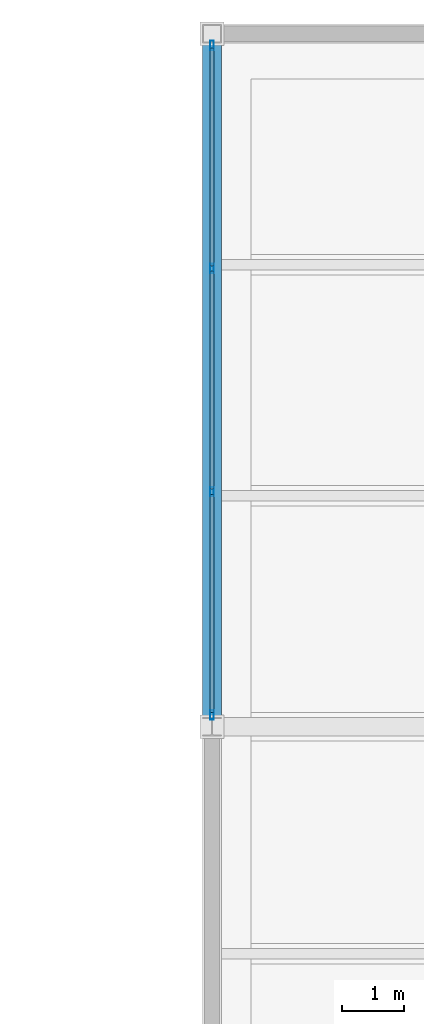
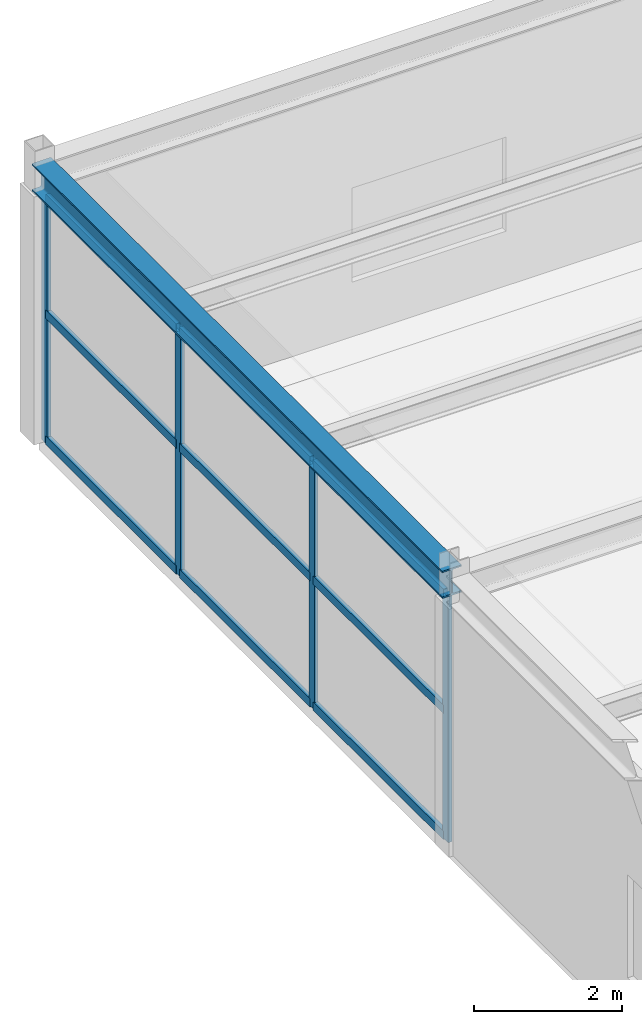
# One storey, part 57 of 108: 13 members, 1 beam, 1 element without a shape of its own.
"""IFC4 building model written with IfcOpenShell, lengths in metres."""

from ifc_helpers import new_model, si_unit, direction, frame, origin, origin_2d, place, context, subcontext, project, spatial, hollow_rectangle, i_section, extrude, material, material_profile, profile_set, type_object, element, aggregate, save


model = new_model("IFC4")

# Units and contexts
model_context = context("Model", 3, precision=1e-05, world=origin(), true_north=direction((0.0, 1.0)))
body_context = subcontext(model_context, "Body", "Model", "MODEL_VIEW")
ifc_project = project(units=[si_unit("LENGTHUNIT", "METRE"), si_unit("AREAUNIT", "SQUARE_METRE"), si_unit("VOLUMEUNIT", "CUBIC_METRE"), si_unit("PLANEANGLEUNIT", "RADIAN"), si_unit("MASSUNIT", "GRAM", prefix="KILO")], contexts=[model_context])

# Site, building, storey
site_placement = place(None, origin())
site = spatial("IfcSite", under=ifc_project, at=site_placement, CompositionType="ELEMENT")
building_placement = place(site_placement, origin())
building = spatial("IfcBuilding", under=site, at=building_placement, Name="Tarnveldt Headland Concert Hall", CompositionType="ELEMENT")
storey_placement = place(building_placement, frame((0.0, 0.0, 9.60009765625)))
storey = spatial("IfcBuildingStorey", under=building, at=storey_placement, Name="L02", CompositionType="ELEMENT", Elevation=9.60009765625)

# Curtain wall, members
ifc_material_1 = material(Name="Marine-anodised aluminium EN AW-6063-T6", Category="aluminium")
curtain_wall_type = type_object("IfcCurtainWallType", Name="CW-R3", PredefinedType="NOTDEFINED", material=ifc_material_1)
curtain_wall_placement = place(storey_placement, origin())
curtain_wall = element("IfcCurtainWall", 1, at=curtain_wall_placement, inside=storey, type_object=curtain_wall_type, Name="Curtain wall CW-L02-181", PredefinedType="NOTDEFINED")
ifc_material_profile_1 = material_profile(ifc_material_1, hollow_rectangle(XDim=0.06005859375, YDim=0.14990234375, WallThickness=0.00390625, at=origin_2d()), Name="ALU MULLION 60x150x4", Category="aluminium")
ifc_profile_set_1 = profile_set([ifc_material_profile_1], Name="Marine-anodised aluminium EN AW-6063-T6")
member_type_1 = type_object("IfcMemberType", Name="ML-150", PredefinedType="MULLION", material=ifc_profile_set_1)
member_1_placement = place(storey_placement, frame((19.5, 115.010009765625, 0.0), z_axis=(0.0, 0.0, 1.0), x_axis=(1.0, 0.0, 0.0)))
member_1 = element("IfcMember", 2, at=member_1_placement, type_object=member_type_1, Name="Mullion CW-L02-181-1", PredefinedType="MULLION", context=body_context, shape_type="SweptSolid", body=[
    extrude(hollow_rectangle(XDim=0.06005859375, YDim=0.14990234375, WallThickness=0.00390625, at=origin_2d()), origin(), (0.0, 0.0, 1.0), 4.087890625),
])
member_2_placement = place(storey_placement, frame((19.5, 111.4033203125, 0.0), z_axis=(0.0, 0.0, 1.0), x_axis=(1.0, 0.0, 0.0)))
member_2 = element("IfcMember", 3, at=member_2_placement, type_object=member_type_1, Name="Mullion CW-L02-181-2", PredefinedType="MULLION", context=body_context, shape_type="SweptSolid", body=[
    extrude(hollow_rectangle(XDim=0.06005859375, YDim=0.14990234375, WallThickness=0.00390625, at=origin_2d()), origin(), (0.0, 0.0, 1.0), 4.087890625),
])
member_3_placement = place(storey_placement, frame((19.5, 107.796630859375, 0.0), z_axis=(0.0, 0.0, 1.0), x_axis=(1.0, 0.0, 0.0)))
member_3 = element("IfcMember", 4, at=member_3_placement, type_object=member_type_1, Name="Mullion CW-L02-181-3", PredefinedType="MULLION", context=body_context, shape_type="SweptSolid", body=[
    extrude(hollow_rectangle(XDim=0.06005859375, YDim=0.14990234375, WallThickness=0.00390625, at=origin_2d()), origin(), (0.0, 0.0, 1.0), 4.087890625),
])
member_4_placement = place(storey_placement, frame((19.5, 104.18994140625, 0.0), z_axis=(0.0, 0.0, 1.0), x_axis=(1.0, 0.0, 0.0)))
member_4 = element("IfcMember", 5, at=member_4_placement, type_object=member_type_1, Name="Mullion CW-L02-181-4", PredefinedType="MULLION", context=body_context, shape_type="SweptSolid", body=[
    extrude(hollow_rectangle(XDim=0.06005859375, YDim=0.14990234375, WallThickness=0.00390625, at=origin_2d()), origin(), (0.0, 0.0, 1.0), 4.087890625),
])

# Beam
ifc_material_2 = material(Name="Steel S355", Category="steel")
ifc_material_profile_2 = material_profile(ifc_material_2, i_section(OverallWidth=0.300048828125, OverallDepth=0.449951171875, WebThickness=0.013916015625, FlangeThickness=0.02587890625, FilletRadius=0.027099609375, at=origin_2d()), Name="HEB450", Category="steel")
ifc_profile_set_2 = profile_set([ifc_material_profile_2], Name="Steel S355")
beam_type = type_object("IfcBeamType", Name="SB-HEB450", PredefinedType="BEAM", material=ifc_profile_set_2)
beam_placement = place(storey_placement, frame((19.5, 104.06005859375, 4.324951171875), z_axis=(0.0, 1.0, 0.0), x_axis=(-1.0, 0.0, 0.0)))
element("IfcBeam", 6, at=beam_placement, inside=storey, type_object=beam_type, Name="Framing beam L02-1203", PredefinedType="BEAM", context=body_context, shape_type="SweptSolid", body=[
    extrude(i_section(OverallWidth=0.300048828125, OverallDepth=0.449951171875, WebThickness=0.013916015625, FlangeThickness=0.02587890625, FilletRadius=0.027099609375, at=origin_2d()), origin(), (0.0, 0.0, 1.0), 11.079833984375),
])

# Member
ifc_material_profile_3 = material_profile(ifc_material_1, hollow_rectangle(XDim=0.06494140625, YDim=0.139892578125, WallThickness=0.00390625, at=origin_2d()), Name="ALU TRANSOM 65x140x4", Category="aluminium")
ifc_profile_set_3 = profile_set([ifc_material_profile_3], Name="Marine-anodised aluminium EN AW-6063-T6")
member_type_2 = type_object("IfcMemberType", Name="TR-140", PredefinedType="MEMBER", material=ifc_profile_set_3)
member_5_placement = place(storey_placement, frame((19.5, 114.968017578125, 0.0498046875), z_axis=(0.0, -1.0, 0.0), x_axis=(1.0, 0.0, 0.0)))
member_5 = element("IfcMember", 7, at=member_5_placement, type_object=member_type_2, Name="Transom CW-L02-181-1-1", PredefinedType="MEMBER", context=body_context, shape_type="SweptSolid", body=[
    extrude(hollow_rectangle(XDim=0.06494140625, YDim=0.139892578125, WallThickness=0.00390625, at=origin_2d()), origin(), (0.0, 0.0, 1.0), 3.522705078125),
])

member_6_placement = place(storey_placement, frame((19.5, 114.968017578125, 2.125732421875), z_axis=(0.0, -1.0, 0.0), x_axis=(1.0, 0.0, 0.0)))
member_6 = element("IfcMember", 8, at=member_6_placement, type_object=member_type_2, Name="Transom CW-L02-181-1-2", PredefinedType="MEMBER", context=body_context, shape_type="SweptSolid", body=[
    extrude(hollow_rectangle(XDim=0.06494140625, YDim=0.139892578125, WallThickness=0.00390625, at=origin_2d()), origin(), (0.0, 0.0, 1.0), 3.522705078125),
])

member_7_placement = place(storey_placement, frame((19.5, 114.968017578125, 4.037841796875), z_axis=(0.0, -1.0, 0.0), x_axis=(1.0, 0.0, 0.0)))
member_7 = element("IfcMember", 9, at=member_7_placement, type_object=member_type_2, Name="Transom CW-L02-181-1-3", PredefinedType="MEMBER", context=body_context, shape_type="SweptSolid", body=[
    extrude(hollow_rectangle(XDim=0.06494140625, YDim=0.139892578125, WallThickness=0.00390625, at=origin_2d()), origin(), (0.0, 0.0, 1.0), 3.522705078125),
])

member_8_placement = place(storey_placement, frame((19.5, 111.361328125, 0.0498046875), z_axis=(0.0, -1.0, 0.0), x_axis=(1.0, 0.0, 0.0)))
member_8 = element("IfcMember", 10, at=member_8_placement, type_object=member_type_2, Name="Transom CW-L02-181-2-1", PredefinedType="MEMBER", context=body_context, shape_type="SweptSolid", body=[
    extrude(hollow_rectangle(XDim=0.06494140625, YDim=0.139892578125, WallThickness=0.00390625, at=origin_2d()), origin(), (0.0, 0.0, 1.0), 3.522705078125),
])

member_9_placement = place(storey_placement, frame((19.5, 111.361328125, 2.125732421875), z_axis=(0.0, -1.0, 0.0), x_axis=(1.0, 0.0, 0.0)))
member_9 = element("IfcMember", 11, at=member_9_placement, type_object=member_type_2, Name="Transom CW-L02-181-2-2", PredefinedType="MEMBER", context=body_context, shape_type="SweptSolid", body=[
    extrude(hollow_rectangle(XDim=0.06494140625, YDim=0.139892578125, WallThickness=0.00390625, at=origin_2d()), origin(), (0.0, 0.0, 1.0), 3.522705078125),
])

member_10_placement = place(storey_placement, frame((19.5, 111.361328125, 4.037841796875), z_axis=(0.0, -1.0, 0.0), x_axis=(1.0, 0.0, 0.0)))
member_10 = element("IfcMember", 12, at=member_10_placement, type_object=member_type_2, Name="Transom CW-L02-181-2-3", PredefinedType="MEMBER", context=body_context, shape_type="SweptSolid", body=[
    extrude(hollow_rectangle(XDim=0.06494140625, YDim=0.139892578125, WallThickness=0.00390625, at=origin_2d()), origin(), (0.0, 0.0, 1.0), 3.522705078125),
])

member_11_placement = place(storey_placement, frame((19.5, 107.754638671875, 0.0498046875), z_axis=(0.0, -1.0, 0.0), x_axis=(1.0, 0.0, 0.0)))
member_11 = element("IfcMember", 13, at=member_11_placement, type_object=member_type_2, Name="Transom CW-L02-181-3-1", PredefinedType="MEMBER", context=body_context, shape_type="SweptSolid", body=[
    extrude(hollow_rectangle(XDim=0.06494140625, YDim=0.139892578125, WallThickness=0.00390625, at=origin_2d()), origin(), (0.0, 0.0, 1.0), 3.522705078125),
])

member_12_placement = place(storey_placement, frame((19.5, 107.754638671875, 2.125732421875), z_axis=(0.0, -1.0, 0.0), x_axis=(1.0, 0.0, 0.0)))
member_12 = element("IfcMember", 14, at=member_12_placement, type_object=member_type_2, Name="Transom CW-L02-181-3-2", PredefinedType="MEMBER", context=body_context, shape_type="SweptSolid", body=[
    extrude(hollow_rectangle(XDim=0.06494140625, YDim=0.139892578125, WallThickness=0.00390625, at=origin_2d()), origin(), (0.0, 0.0, 1.0), 3.522705078125),
])

member_13_placement = place(storey_placement, frame((19.5, 107.754638671875, 4.037841796875), z_axis=(0.0, -1.0, 0.0), x_axis=(1.0, 0.0, 0.0)))
member_13 = element("IfcMember", 15, at=member_13_placement, type_object=member_type_2, Name="Transom CW-L02-181-3-3", PredefinedType="MEMBER", context=body_context, shape_type="SweptSolid", body=[
    extrude(hollow_rectangle(XDim=0.06494140625, YDim=0.139892578125, WallThickness=0.00390625, at=origin_2d()), origin(), (0.0, 0.0, 1.0), 3.522705078125),
])

aggregate(curtain_wall, [member_1, member_2, member_3, member_4, member_5, member_6, member_7, member_8, member_9, member_10, member_11, member_12, member_13])

save(model, "model.ifc")
